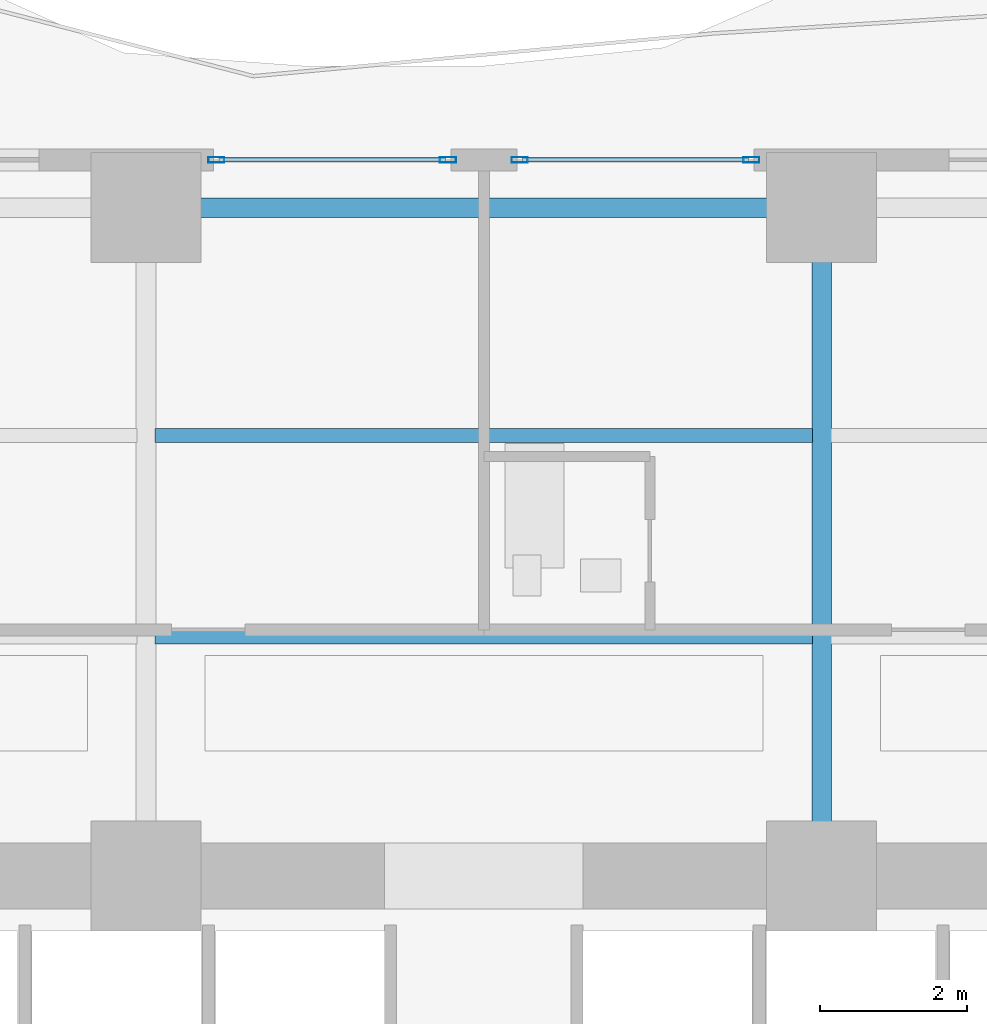
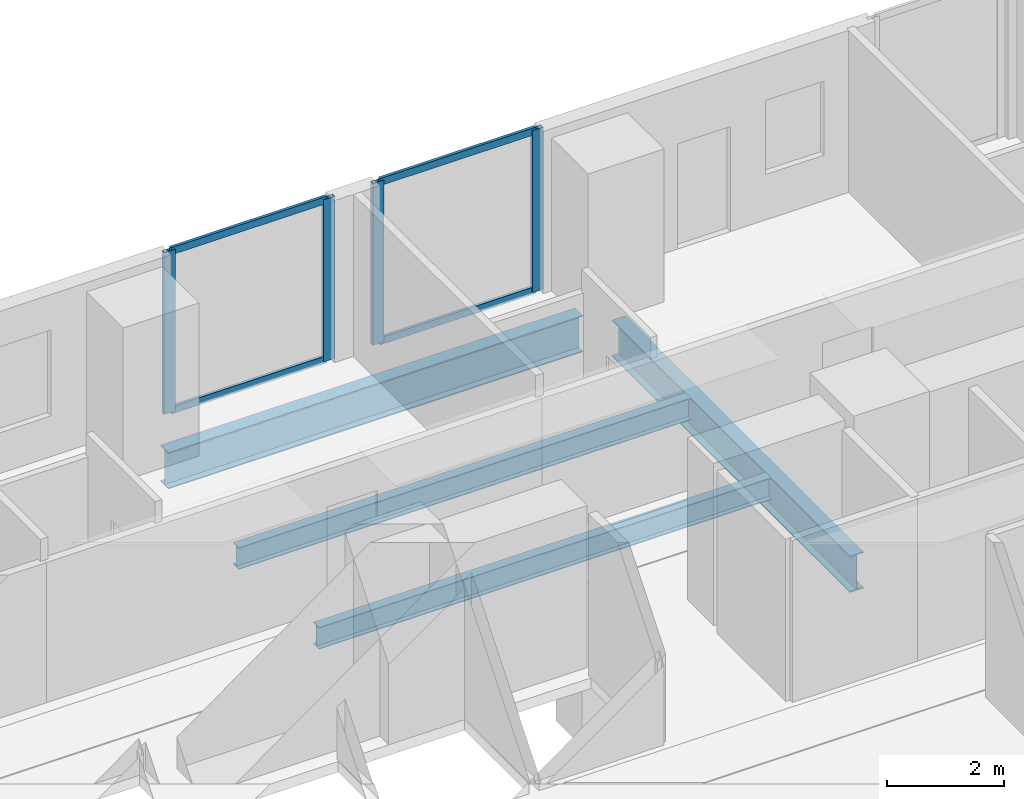
# One storey, part 15 of 30: 8 members, 4 beams, 2 elements without a shape of their own.
"""IFC4 building model written with IfcOpenShell, lengths in metres."""

import ifcopenshell
import ifcopenshell.guid

model = None  # the IFC model being written
_history = None  # IfcOwnerHistory: only IFC2X3 demands one
_inside = {}  # id of a spatial element -> (the spatial element, [elements in it])
_under = {}  # id of a project, library or spatial element -> (it, [spatial elements below it])
_declared = {}  # id of a project -> (the project, [libraries it declares])
_typed = {}  # id of a type object -> (the type object, [elements of that type])
_made_of = {}  # id of a material, layer set ... -> (it, [elements and type objects made of it])


def new_model(schema):
    """Start an empty IFC model of exactly this schema.

    Asked for "IFC4X3", IfcOpenShell would pick the latest addendum, in which some entities
    have other attributes; the version numbers below select the first issue.
    IFC2X3 requires an IfcOwnerHistory on every rooted entity: one is made here for all.
    """
    global model, _history
    if schema == "IFC4X3":
        model = ifcopenshell.file(schema_version=(4, 3, 0, 0))
    else:
        model = ifcopenshell.file(schema=schema)
    _inside.clear()
    _under.clear()
    _declared.clear()
    _typed.clear()
    _made_of.clear()
    _history = None
    if model.schema == "IFC2X3":
        org = make("IfcOrganization", Name="unknown")
        user = make(
            "IfcPersonAndOrganization",
            ThePerson=make("IfcPerson", FamilyName="unknown"),
            TheOrganization=org,
        )
        app = make(
            "IfcApplication",
            ApplicationDeveloper=org,
            Version="unknown",
            ApplicationFullName="unknown",
            ApplicationIdentifier="unknown",
        )
        _history = make(
            "IfcOwnerHistory",
            OwningUser=user,
            OwningApplication=app,
            ChangeAction="ADDED",
            CreationDate=0,
        )
    return model


def make(cls, **values):
    """One entity of the class cls with the attributes given. An attribute that is None is left unset."""
    return model.create_entity(
        cls, **{name: value for name, value in values.items() if value is not None}
    )


def rooted(cls, **values):
    """An entity with a GlobalId (a new one), such as an element, a storey or a relation."""
    return make(cls, GlobalId=ifcopenshell.guid.new(), OwnerHistory=_history, **values)


def si_unit(unit_type, name, prefix=None):
    """IfcSIUnit, for example si_unit("LENGTHUNIT", "METRE", prefix="MILLI")."""
    return make("IfcSIUnit", UnitType=unit_type, Prefix=prefix, Name=name)


def assignment(units):
    """IfcUnitAssignment: the units of a project."""
    return None if units is None else make("IfcUnitAssignment", Units=units)


def point(xyz):
    """IfcCartesianPoint."""
    return None if xyz is None else make("IfcCartesianPoint", Coordinates=xyz)


def direction(xyz):
    """IfcDirection."""
    return None if xyz is None else make("IfcDirection", DirectionRatios=xyz)


def frame(location, z_axis=None, x_axis=None):
    """IfcAxis2Placement3D, a coordinate frame: its origin and axes. An axis left out is left unset."""
    return make(
        "IfcAxis2Placement3D",
        Location=point(location),
        Axis=direction(z_axis),
        RefDirection=direction(x_axis),
    )


def frame_2d(location, x_axis=None):
    """IfcAxis2Placement2D, a coordinate frame in the plane: its origin and x axis."""
    return make(
        "IfcAxis2Placement2D", Location=point(location), RefDirection=direction(x_axis)
    )


def origin():
    """The frame at (0, 0, 0) with its axes left unset."""
    return frame((0.0, 0.0, 0.0))


def origin_2d():
    """The frame at (0, 0) in the plane with its x axis left unset."""
    return frame_2d((0.0, 0.0))


def place(relative_to, where):
    """IfcLocalPlacement: puts the frame where relative to a parent placement (None: the world)."""
    return make(
        "IfcLocalPlacement", PlacementRelTo=relative_to, RelativePlacement=where
    )


def context(
    kind, dimensions, precision=None, world=None, true_north=None, identifier=None
):
    """IfcGeometricRepresentationContext, for example the 3D "Model" context."""
    return make(
        "IfcGeometricRepresentationContext",
        ContextIdentifier=identifier,
        ContextType=kind,
        CoordinateSpaceDimension=dimensions,
        Precision=precision,
        WorldCoordinateSystem=world,
        TrueNorth=true_north,
    )


def subcontext(parent, identifier, kind, view, scale=None):
    """IfcGeometricRepresentationSubContext, for example "Body" below "Model"."""
    return make(
        "IfcGeometricRepresentationSubContext",
        ContextIdentifier=identifier,
        ContextType=kind,
        ParentContext=parent,
        TargetScale=scale,
        TargetView=view,
    )


def project(units=None, contexts=None):
    """IfcProject with its units and contexts."""
    return rooted(
        "IfcProject",
        Name="project",
        RepresentationContexts=contexts,
        UnitsInContext=assignment(units),
    )


def spatial(cls, under=None, at=None, **own):
    """A site, building, storey or space (cls), placed at a placement, below another one or the project."""
    s = rooted(cls, ObjectPlacement=at, **own)
    if under is not None:
        _under.setdefault(under.id(), (under, []))[1].append(s)
    return s


def profile(cls, at=None, kind="AREA", **sizes):
    """A parametric profile (cls). Its sizes go by their IFC names, for example OverallWidth=200.0."""
    return make(cls, ProfileType=kind, Position=at, **sizes)


def hollow_rectangle(**sizes):
    """IfcRectangleHollowProfileDef."""
    return profile("IfcRectangleHollowProfileDef", **sizes)


def i_section(**sizes):
    """IfcIShapeProfileDef."""
    return profile("IfcIShapeProfileDef", **sizes)


def extrude(swept, where, along, depth):
    """IfcExtrudedAreaSolid: the profile swept, set in the frame where, extruded along a direction by depth."""
    return make(
        "IfcExtrudedAreaSolid",
        SweptArea=swept,
        Position=where,
        ExtrudedDirection=direction(along),
        Depth=depth,
    )


def shape(context_of_items, identifier, shape_type, items):
    """IfcShapeRepresentation: the items that make up one representation, for example the "Body"."""
    return make(
        "IfcShapeRepresentation",
        ContextOfItems=context_of_items,
        RepresentationIdentifier=identifier,
        RepresentationType=shape_type,
        Items=items,
    )


def material(Name=None, Category=None):
    """IfcMaterial."""
    return make("IfcMaterial", Name=Name, Category=Category)


def layer(
    of_material, thickness, ventilated=None, Name=None, Category=None, Priority=None
):
    """IfcMaterialLayer: one layer of a wall or slab, of a material (None: an air gap)."""
    return make(
        "IfcMaterialLayer",
        Material=of_material,
        LayerThickness=thickness,
        IsVentilated=ventilated,
        Name=Name,
        Category=Category,
        Priority=Priority,
    )


def layer_set(layers, Name=None):
    """IfcMaterialLayerSet."""
    return make("IfcMaterialLayerSet", MaterialLayers=layers, LayerSetName=Name)


def material_profile(
    of_material, cross_section, Name=None, Category=None, Priority=None
):
    """IfcMaterialProfile: a cross section and its material."""
    return make(
        "IfcMaterialProfile",
        Name=Name,
        Material=of_material,
        Profile=cross_section,
        Priority=Priority,
        Category=Category,
    )


def profile_set(profiles, Name=None, composite=None):
    """IfcMaterialProfileSet."""
    return make(
        "IfcMaterialProfileSet",
        Name=Name,
        MaterialProfiles=profiles,
        CompositeProfile=composite,
    )


def made_of(thing, what):
    """Note that an element or type object is made of a material, layer set ...; save() writes the relation."""
    if what is not None:
        _made_of.setdefault(what.id(), (what, []))[1].append(thing)
    return thing


def type_object(cls, material=None, **own):
    """A type object (cls), such as IfcWallType, which elements share."""
    return made_of(rooted(cls, **own), material)


def element(
    cls,
    number,
    at=None,
    inside=None,
    cuts=None,
    type_object=None,
    material=None,
    context=None,
    identifier="Body",
    shape_type=None,
    held_by="IfcProductDefinitionShape",
    body=None,
    shapes=None,
    **own,
):
    """One element of the class cls, such as IfcWall. Its Tag is "e" and its number.

    at: its placement. inside: the storey or other place that contains it. cuts: it is an
    opening in that element (IfcRelVoidsElement). A single representation is given by context,
    identifier, shape_type and body (its items); several are given by shapes. held_by: the class
    of the entity that holds the representations. save() writes the other relations.
    """
    e = rooted(cls, Tag="e%d" % number, ObjectPlacement=at, **own)
    if body is not None:
        shapes = [shape(context, identifier, shape_type, body)]
    if shapes is not None:
        e.Representation = make(held_by, Representations=shapes)
    if inside is not None:
        _inside.setdefault(inside.id(), (inside, []))[1].append(e)
    if cuts is not None:
        rooted(
            "IfcRelVoidsElement", RelatingBuildingElement=cuts, RelatedOpeningElement=e
        )
    if type_object is not None:
        _typed.setdefault(type_object.id(), (type_object, []))[1].append(e)
    return made_of(e, material)


def aggregate(whole, parts):
    """IfcRelAggregates: a whole, such as a stair, and the parts it consists of."""
    return rooted("IfcRelAggregates", RelatingObject=whole, RelatedObjects=parts)


def save(model, path):
    """Write the relations noted so far, then the file.

    IfcRelAggregates (storeys below a building ...), IfcRelContainedInSpatialStructure (elements
    in a storey), IfcRelDefinesByType, IfcRelAssociatesMaterial and IfcRelDeclares: one each for
    every whole, place, type object, material and project.
    """
    for whole, parts in _under.values():
        aggregate(whole, parts)
    for where, things in _inside.values():
        rooted(
            "IfcRelContainedInSpatialStructure",
            RelatedElements=things,
            RelatingStructure=where,
        )
    for kind, things in _typed.values():
        rooted("IfcRelDefinesByType", RelatedObjects=things, RelatingType=kind)
    for what, things in _made_of.values():
        rooted("IfcRelAssociatesMaterial", RelatedObjects=things, RelatingMaterial=what)
    for by, libraries in _declared.values():
        rooted("IfcRelDeclares", RelatingContext=by, RelatedDefinitions=libraries)
    model.write(path)


model = new_model("IFC4")

# Units and contexts
model_context = context("Model", 3, precision=1e-05, world=origin(), true_north=direction((0.0, 1.0)))
body_context = subcontext(model_context, "Body", "Model", "MODEL_VIEW")
ifc_project = project(units=[si_unit("LENGTHUNIT", "METRE"), si_unit("AREAUNIT", "SQUARE_METRE"), si_unit("VOLUMEUNIT", "CUBIC_METRE"), si_unit("PLANEANGLEUNIT", "RADIAN"), si_unit("MASSUNIT", "GRAM", prefix="KILO")], contexts=[model_context])

# Site, building, storey
site_placement = place(None, origin())
site = spatial("IfcSite", under=ifc_project, at=site_placement, CompositionType="ELEMENT")
building_placement = place(site_placement, origin())
building = spatial("IfcBuilding", under=site, at=building_placement, Name="Zuhayl Quay Hotel", CompositionType="ELEMENT")
storey_placement = place(building_placement, frame((0.0, 0.0, 86.0)))
storey = spatial("IfcBuildingStorey", under=building, at=storey_placement, Name="L21", CompositionType="ELEMENT", Elevation=86.0)

# Beams
ifc_material_1 = material(Name="Steel ASTM A992 Grade 50", Category="steel")
ifc_material_profile_1 = material_profile(ifc_material_1, i_section(OverallWidth=0.26708984375, OverallDepth=0.761962890625, WebThickness=0.014404296875, FlangeThickness=0.021484375, at=origin_2d()), Name="W30X116")
ifc_profile_set_1 = profile_set([ifc_material_profile_1], Name="Steel ASTM A992 Grade 50")
beam_type_1 = type_object("IfcBeamType", Name="BM_B1_W30X116", PredefinedType="BEAM", material=ifc_profile_set_1)
beam_1_placement = place(storey_placement, frame((4.10009765625, 22.449951171875, -0.60107421875), z_axis=(-1.0, 0.0, 0.0), x_axis=(0.0, -1.0, 0.0)))
element("IfcBeam", 1, at=beam_1_placement, inside=storey, type_object=beam_type_1, Name="L21 Floor Beam RG_L21_08", PredefinedType="BEAM", context=body_context, shape_type="SweptSolid", body=[
    extrude(i_section(OverallWidth=0.26708984375, OverallDepth=0.761962890625, WebThickness=0.014404296875, FlangeThickness=0.021484375, at=origin_2d()), origin(), (0.0, 0.0, 1.0), 8.2001953125),
])
beam_2_placement = place(storey_placement, frame((4.60009765625, 13.800048828125, -0.60107421875), z_axis=(0.0, 1.0, 0.0), x_axis=(-1.0, 0.0, 0.0)))
element("IfcBeam", 2, at=beam_2_placement, inside=storey, type_object=beam_type_1, Name="L21 Floor Beam FG_N_L21_3", PredefinedType="BEAM", context=body_context, shape_type="SweptSolid", body=[
    extrude(i_section(OverallWidth=0.26708984375, OverallDepth=0.761962890625, WebThickness=0.014404296875, FlangeThickness=0.021484375, at=origin_2d()), origin(), (0.0, 0.0, 1.0), 8.14990234375),
])
ifc_material_profile_2 = material_profile(ifc_material_1, i_section(OverallWidth=0.18994140625, OverallDepth=0.45703125, WebThickness=0.009033203125, FlangeThickness=0.014404296875, at=origin_2d()), Name="W18X50")
ifc_profile_set_2 = profile_set([ifc_material_profile_2], Name="Steel ASTM A992 Grade 50")
beam_type_2 = type_object("IfcBeamType", Name="BM_J2_W18X50", PredefinedType="JOIST", material=ifc_profile_set_2)
for number, where, z_axis, x_axis, name in (
    (3, (-4.474609375, 16.60009765625, -0.448486328125), (1.0, 0.0, 0.0), (0.0, 1.0, 0.0), "L21 Floor Beam FJ_L21_1_2"),
    (4, (-4.474609375, 19.35009765625, -0.448486328125), (1.0, 0.0, 0.0), (0.0, 1.0, 0.0), "L21 Floor Beam FJ_L21_2_2"),
):
    element("IfcBeam", number, at=place(storey_placement, frame(where, z_axis=z_axis, x_axis=x_axis)), inside=storey, type_object=beam_type_2, Name=name, PredefinedType="JOIST", context=body_context, shape_type="SweptSolid", body=[
        extrude(i_section(OverallWidth=0.18994140625, OverallDepth=0.45703125, WebThickness=0.009033203125, FlangeThickness=0.014404296875, at=origin_2d()), origin(), (0.0, 0.0, 1.0), 8.94921875),
    ])

# Curtain wall, members
ifc_material_2 = material(Name="Anodised Aluminium 6063-T6", Category="aluminium")
ifc_layer = layer(ifc_material_2, 0.18994140625, Name="Anodised Aluminium 6063-T6", Category="aluminium")
ifc_layer_set = layer_set([ifc_layer], Name="Anodised Aluminium 6063-T6")
curtain_wall_type = type_object("IfcCurtainWallType", Name="CW_SYS_Z1", PredefinedType="USERDEFINED", material=ifc_layer_set)
curtain_wall_1_placement = place(storey_placement, origin())
curtain_wall_1 = element("IfcCurtainWall", 5, at=curtain_wall_1_placement, inside=storey, type_object=curtain_wall_type, Name="L21 Curtain Wall ENV_L21_N_CW4", ObjectType="UNITISED CURTAIN WALL", PredefinedType="USERDEFINED")
ifc_material_3 = material(Name="Black-anodised aluminium 6063-T6", Category="aluminium")
ifc_material_profile_3 = material_profile(ifc_material_3, hollow_rectangle(XDim=0.074951171875, YDim=0.219970703125, WallThickness=0.00390625, at=origin_2d()), Name="ALU220X75")
ifc_profile_set_3 = profile_set([ifc_material_profile_3], Name="Black-anodised aluminium 6063-T6")
member_type_1 = type_object("IfcMemberType", Name="MB_CW_MUL_220", PredefinedType="MULLION", material=ifc_profile_set_3)
member_1_placement = place(storey_placement, frame((-3.642578125, 23.10009765625, 0.0), z_axis=(0.0, 0.0, 1.0), x_axis=(0.0, 1.0, 0.0)))
member_1 = element("IfcMember", 6, at=member_1_placement, type_object=member_type_1, Name="CW-Z1 mullion 1", PredefinedType="MULLION", context=body_context, shape_type="SweptSolid", body=[
    extrude(hollow_rectangle(XDim=0.074951171875, YDim=0.219970703125, WallThickness=0.00390625, at=origin_2d()), origin(), (0.0, 0.0, 1.0), 3.389892578125),
])
member_2_placement = place(storey_placement, frame((-0.487548828125, 23.10009765625, 0.0), z_axis=(0.0, 0.0, 1.0), x_axis=(0.0, 1.0, 0.0)))
member_2 = element("IfcMember", 7, at=member_2_placement, type_object=member_type_1, Name="CW-Z1 mullion 2", PredefinedType="MULLION", context=body_context, shape_type="SweptSolid", body=[
    extrude(hollow_rectangle(XDim=0.074951171875, YDim=0.219970703125, WallThickness=0.00390625, at=origin_2d()), origin(), (0.0, 0.0, 1.0), 3.389892578125),
])

curtain_wall_2_placement = place(storey_placement, origin())
curtain_wall_2 = element("IfcCurtainWall", 8, at=curtain_wall_2_placement, inside=storey, type_object=curtain_wall_type, Name="L21 Curtain Wall ENV_L21_N_CW5", ObjectType="UNITISED CURTAIN WALL", PredefinedType="USERDEFINED")
member_3_placement = place(storey_placement, frame((0.487548828125, 23.10009765625, 0.0), z_axis=(0.0, 0.0, 1.0), x_axis=(0.0, 1.0, 0.0)))
member_3 = element("IfcMember", 9, at=member_3_placement, type_object=member_type_1, Name="CW-Z1 mullion 1", PredefinedType="MULLION", context=body_context, shape_type="SweptSolid", body=[
    extrude(hollow_rectangle(XDim=0.074951171875, YDim=0.219970703125, WallThickness=0.00390625, at=origin_2d()), origin(), (0.0, 0.0, 1.0), 3.389892578125),
])
member_4_placement = place(storey_placement, frame((3.642578125, 23.10009765625, 0.0), z_axis=(0.0, 0.0, 1.0), x_axis=(0.0, 1.0, 0.0)))
member_4 = element("IfcMember", 10, at=member_4_placement, type_object=member_type_1, Name="CW-Z1 mullion 2", PredefinedType="MULLION", context=body_context, shape_type="SweptSolid", body=[
    extrude(hollow_rectangle(XDim=0.074951171875, YDim=0.219970703125, WallThickness=0.00390625, at=origin_2d()), origin(), (0.0, 0.0, 1.0), 3.389892578125),
])

# Member
ifc_material_profile_4 = material_profile(ifc_material_3, hollow_rectangle(XDim=0.06005859375, YDim=0.14990234375, WallThickness=0.00341796875, at=origin_2d()), Name="ALU150X60")
ifc_profile_set_4 = profile_set([ifc_material_profile_4], Name="Black-anodised aluminium 6063-T6")
member_type_2 = type_object("IfcMemberType", Name="MB_CW_TRN_150", PredefinedType="USERDEFINED", material=ifc_profile_set_4)
member_5_placement = place(storey_placement, frame((-3.60498046875, 23.10009765625, 0.030029296875), z_axis=(1.0, 0.0, 0.0), x_axis=(0.0, 1.0, 0.0)))
member_5 = element("IfcMember", 11, at=member_5_placement, type_object=member_type_2, Name="CW-Z1 transom 1.1", ObjectType="TRANSOM", PredefinedType="USERDEFINED", context=body_context, shape_type="SweptSolid", body=[
    extrude(hollow_rectangle(XDim=0.06005859375, YDim=0.14990234375, WallThickness=0.00341796875, at=origin_2d()), origin(), (0.0, 0.0, 1.0), 3.080078125),
])

member_6_placement = place(storey_placement, frame((-3.60498046875, 23.10009765625, 3.360107421875), z_axis=(1.0, 0.0, 0.0), x_axis=(0.0, 1.0, 0.0)))
member_6 = element("IfcMember", 12, at=member_6_placement, type_object=member_type_2, Name="CW-Z1 transom 1.2", ObjectType="TRANSOM", PredefinedType="USERDEFINED", context=body_context, shape_type="SweptSolid", body=[
    extrude(hollow_rectangle(XDim=0.06005859375, YDim=0.14990234375, WallThickness=0.00341796875, at=origin_2d()), origin(), (0.0, 0.0, 1.0), 3.080078125),
])

aggregate(curtain_wall_1, [member_1, member_2, member_5, member_6])

member_7_placement = place(storey_placement, frame((0.52490234375, 23.10009765625, 0.030029296875), z_axis=(1.0, 0.0, 0.0), x_axis=(0.0, 1.0, 0.0)))
member_7 = element("IfcMember", 13, at=member_7_placement, type_object=member_type_2, Name="CW-Z1 transom 1.1", ObjectType="TRANSOM", PredefinedType="USERDEFINED", context=body_context, shape_type="SweptSolid", body=[
    extrude(hollow_rectangle(XDim=0.06005859375, YDim=0.14990234375, WallThickness=0.00341796875, at=origin_2d()), origin(), (0.0, 0.0, 1.0), 3.080078125),
])

member_8_placement = place(storey_placement, frame((0.52490234375, 23.10009765625, 3.360107421875), z_axis=(1.0, 0.0, 0.0), x_axis=(0.0, 1.0, 0.0)))
member_8 = element("IfcMember", 14, at=member_8_placement, type_object=member_type_2, Name="CW-Z1 transom 1.2", ObjectType="TRANSOM", PredefinedType="USERDEFINED", context=body_context, shape_type="SweptSolid", body=[
    extrude(hollow_rectangle(XDim=0.06005859375, YDim=0.14990234375, WallThickness=0.00341796875, at=origin_2d()), origin(), (0.0, 0.0, 1.0), 3.080078125),
])

aggregate(curtain_wall_2, [member_3, member_4, member_7, member_8])

save(model, "model.ifc")
